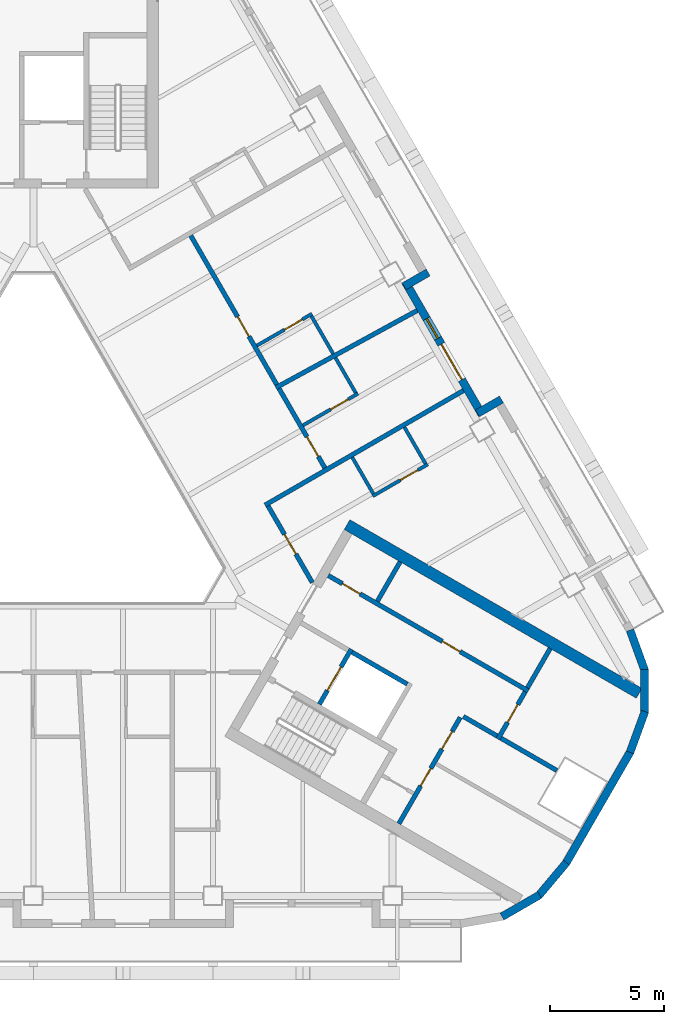
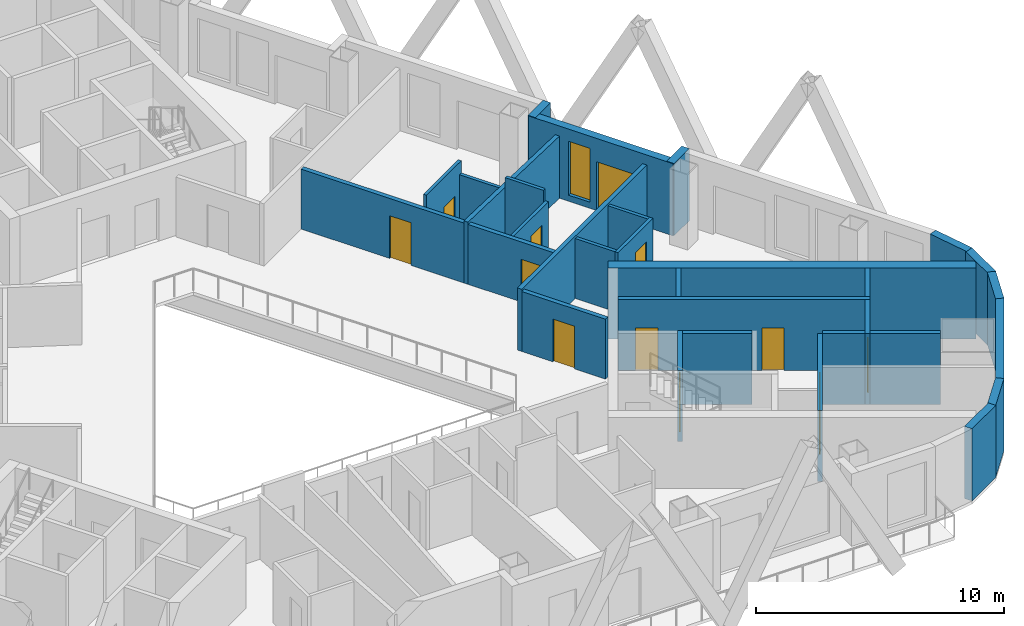
# One storey, part 8 of 17: 31 walls, 13 doors, 1 window, 14 openings.
"""IFC4 building model written with IfcOpenShell, lengths in metres."""

from ifc_helpers import new_model, si_unit, direction, frame, frame_2d, origin, place, context, subcontext, project, spatial, rectangle, extrude, material, layer, layer_set, type_object, element, fill, save


model = new_model("IFC4")

# Units and contexts
model_context = context("Model", 3, precision=1e-05, world=origin(), true_north=direction((0.0, 1.0)))
body_context = subcontext(model_context, "Body", "Model", "MODEL_VIEW")
ifc_project = project(units=[si_unit("LENGTHUNIT", "METRE"), si_unit("AREAUNIT", "SQUARE_METRE"), si_unit("VOLUMEUNIT", "CUBIC_METRE"), si_unit("PLANEANGLEUNIT", "RADIAN"), si_unit("MASSUNIT", "GRAM", prefix="KILO")], contexts=[model_context])

# Site, building, storey
site_placement = place(None, origin())
site = spatial("IfcSite", under=ifc_project, at=site_placement, CompositionType="ELEMENT")
building_placement = place(site_placement, origin())
building = spatial("IfcBuilding", under=site, at=building_placement, Name="Apuvela Tower Hotel", CompositionType="ELEMENT")
storey_placement = place(building_placement, frame((0.0, 0.0, 146.60009765625)))
storey = spatial("IfcBuildingStorey", under=building, at=storey_placement, Name="L34", CompositionType="ELEMENT", Elevation=146.60009765625)

# Wall
ifc_material_1 = material(Name="Concrete C50/60", Category="concrete")
ifc_layer_1 = layer(ifc_material_1, 0.5)
ifc_layer_set_1 = layer_set([ifc_layer_1], Name="COR-WALL-CORE-500")
wall_type_1 = type_object("IfcWallType", Name="COR-WALL-CORE-500", PredefinedType="SHEAR", material=ifc_layer_set_1)
wall_1_placement = place(storey_placement, frame((13.796630859375, -1.9033203125, 0.0), z_axis=(0.0, 0.0, 1.0), x_axis=(0.866025009528, -0.500000682871, 0.0)))
element("IfcWall", 1, at=wall_1_placement, inside=storey, type_object=wall_type_1, Name="Core wall SE", PredefinedType="SHEAR", context=body_context, shape_type="SweptSolid", body=[
    extrude(rectangle(XDim=14.8369140625, YDim=0.5, at=frame_2d((7.41845703125, 0.0))), origin(), (0.0, 0.0, 1.0), 3.5),
])

# Wall, openings, doors
ifc_material_2 = material(Name="Blockwork 200 mm plastered", Category="masonry")
ifc_layer_2 = layer(ifc_material_2, 0.199951171875)
ifc_layer_set_2 = layer_set([ifc_layer_2], Name="COR-WALL-PART-200")
wall_type_2 = type_object("IfcWallType", Name="COR-WALL-PART-200", PredefinedType="PARTITIONING", material=ifc_layer_set_2)
wall_2_placement = place(storey_placement, frame((16.076171875, -15.05517578125, 0.0), z_axis=(0.0, 0.0, 1.0), x_axis=(0.499995103361, 0.866028230842, 0.0)))
wall_2 = element("IfcWall", 2, at=wall_2_placement, inside=storey, type_object=wall_type_2, Name="Partition SE", PredefinedType="PARTITIONING", context=body_context, shape_type="SweptSolid", body=[
    extrude(rectangle(XDim=5.39990234375, YDim=0.199951171875, at=frame_2d((2.699951171875, 0.0))), origin(), (0.0, 0.0, 1.0), 3.5),
])
opening_1_placement = place(wall_2_placement, frame((1.91259765625, 0.0, 0.0)))
opening_1 = element("IfcOpeningElement", 3, at=opening_1_placement, cuts=wall_2, Name="Opening E-RS1", PredefinedType="OPENING", context=body_context, shape_type="SweptSolid", body=[
    extrude(rectangle(XDim=0.89990234375, YDim=2.10009765625, at=frame_2d((0.449951171875, 1.050048828125))), frame((0.0, 0.10986328125, 0.0), z_axis=(0.0, -1.0, 0.0), x_axis=(1.0, 0.0, 0.0)), (0.0, 0.0, 1.0), 0.219970703125),
])
opening_2_placement = place(wall_2_placement, frame((3.78759765625, 0.0, 0.0)))
opening_2 = element("IfcOpeningElement", 4, at=opening_2_placement, cuts=wall_2, Name="Opening E-RS2", PredefinedType="OPENING", context=body_context, shape_type="SweptSolid", body=[
    extrude(rectangle(XDim=0.89990234375, YDim=2.10009765625, at=frame_2d((0.449951171875, 1.050048828125))), frame((0.0, 0.10986328125, 0.0), z_axis=(0.0, -1.0, 0.0), x_axis=(1.0, 0.0, 0.0)), (0.0, 0.0, 1.0), 0.219970703125),
])
ifc_material_3 = material(Name="Steel fire door, powder coated", Category="steel")
door_type_1 = type_object("IfcDoorType", Name="COR-DR-900", OperationType="NOTDEFINED", PredefinedType="DOOR", material=ifc_material_3)
door_1_placement = place(opening_1_placement, frame((0.89990234375, 0.0, 0.0), z_axis=(0.0, 0.0, 1.0), x_axis=(-1.0, 0.0, 0.0)))
door_1 = element("IfcDoor", 5, at=door_1_placement, inside=storey, type_object=door_type_1, Name="Store door E-RS1", OperationType="SINGLE_SWING_LEFT", OverallHeight=2.10009765625, OverallWidth=0.89990234375, PredefinedType="DOOR", context=body_context, shape_type="SweptSolid", body=[
    extrude(rectangle(XDim=0.89990234375, YDim=2.10009765625, at=frame_2d((0.449951171875, 1.050048828125))), frame((0.0, 0.02490234375, 0.0), z_axis=(0.0, -1.0, 0.0), x_axis=(1.0, 0.0, 0.0)), (0.0, 0.0, 1.0), 0.050048828125),
])
fill(opening_1, door_1)
door_2_placement = place(opening_2_placement, frame((0.89990234375, 0.0, 0.0), z_axis=(0.0, 0.0, 1.0), x_axis=(-1.0, 0.0, 0.0)))
door_2 = element("IfcDoor", 6, at=door_2_placement, inside=storey, type_object=door_type_1, Name="Store door E-RS2", OperationType="SINGLE_SWING_LEFT", OverallHeight=2.10009765625, OverallWidth=0.89990234375, PredefinedType="DOOR", context=body_context, shape_type="SweptSolid", body=[
    extrude(rectangle(XDim=0.89990234375, YDim=2.10009765625, at=frame_2d((0.449951171875, 1.050048828125))), frame((0.0, 0.02490234375, 0.0), z_axis=(0.0, -1.0, 0.0), x_axis=(1.0, 0.0, 0.0)), (0.0, 0.0, 1.0), 0.050048828125),
])
fill(opening_2, door_2)

# Wall, opening, door
ifc_layer_3 = layer(ifc_material_1, 0.199951171875)
ifc_layer_set_3 = layer_set([ifc_layer_3], Name="COR-WALL-SHAFT-200")
wall_type_3 = type_object("IfcWallType", Name="COR-WALL-SHAFT-200", PredefinedType="SHEAR", material=ifc_layer_set_3)
wall_3_placement = place(storey_placement, frame((12.583251953125, -9.805419921875, 0.0), z_axis=(0.0, 0.0, 1.0), x_axis=(0.49994636267, 0.866056369097, 0.0)))
wall_3 = element("IfcWall", 7, at=wall_3_placement, inside=storey, type_object=wall_type_3, Name="Shaft wall SE", PredefinedType="SHEAR", context=body_context, shape_type="SweptSolid", body=[
    extrude(rectangle(XDim=2.800048828125, YDim=0.199951171875, at=frame_2d((1.39990234375, 0.0))), origin(), (0.0, 0.0, 1.0), 3.5),
])
opening_3_placement = place(wall_3_placement, frame((0.699951171875, 0.0, 0.0)))
opening_3 = element("IfcOpeningElement", 8, at=opening_3_placement, cuts=wall_3, Name="Opening E-LD-FS3", PredefinedType="OPENING", context=body_context, shape_type="SweptSolid", body=[
    extrude(rectangle(XDim=1.199951171875, YDim=2.10009765625, at=frame_2d((0.60009765625, 1.050048828125))), frame((0.0, 0.10986328125, 0.0), z_axis=(0.0, -1.0, 0.0), x_axis=(1.0, 0.0, 0.0)), (0.0, 0.0, 1.0), 0.219970703125),
])
ifc_material_4 = material(Name="Stainless steel lift landing door", Category="steel")
door_type_2 = type_object("IfcDoorType", Name="COR-LD-1200", OperationType="DOUBLE_DOOR_SLIDING", PredefinedType="DOOR", material=ifc_material_4)
door_3_placement = place(opening_3_placement, origin())
door_3 = element("IfcDoor", 9, at=door_3_placement, inside=storey, type_object=door_type_2, Name="Lift landing door E-LD-FS3", OperationType="DOUBLE_DOOR_SLIDING", OverallHeight=2.10009765625, OverallWidth=1.199951171875, PredefinedType="DOOR", context=body_context, shape_type="SweptSolid", body=[
    extrude(rectangle(XDim=1.199951171875, YDim=2.10009765625, at=frame_2d((0.60009765625, 1.050048828125))), frame((0.0, 0.02490234375, 0.0), z_axis=(0.0, -1.0, 0.0), x_axis=(1.0, 0.0, 0.0)), (0.0, 0.0, 1.0), 0.050048828125),
])
fill(opening_3, door_3)

# Wall
wall_4_placement = place(storey_placement, frame((14.019775390625, -7.51708984375, 0.0), z_axis=(0.0, 0.0, 1.0), x_axis=(0.866034573852, -0.49998411664, 0.0)))
element("IfcWall", 10, at=wall_4_placement, inside=storey, type_object=wall_type_3, Name="Shaft wall SE", PredefinedType="SHEAR", context=body_context, shape_type="SweptSolid", body=[
    extrude(rectangle(XDim=2.7998046875, YDim=0.199951171875, at=frame_2d((1.39990234375, 0.0))), origin(), (0.0, 0.0, 1.0), 3.5),
])

# Wall, openings, doors
wall_5_placement = place(storey_placement, frame((12.968017578125, -4.138427734375, 0.0), z_axis=(0.0, 0.0, 1.0), x_axis=(0.866028328073, -0.49999493495, 0.0)))
wall_5 = element("IfcWall", 11, at=wall_5_placement, inside=storey, type_object=wall_type_3, Name="Shaft wall SE", PredefinedType="SHEAR", context=body_context, shape_type="SweptSolid", body=[
    extrude(rectangle(XDim=10.16015625, YDim=0.199951171875, at=frame_2d((5.080078125, 0.0))), origin(), (0.0, 0.0, 1.0), 3.5),
])
opening_4_placement = place(wall_5_placement, frame((0.719970703125, 0.0, 0.0)))
opening_4 = element("IfcOpeningElement", 12, at=opening_4_placement, cuts=wall_5, Name="Opening E-RE1", PredefinedType="OPENING", context=body_context, shape_type="SweptSolid", body=[
    extrude(rectangle(XDim=0.89990234375, YDim=2.10009765625, at=frame_2d((0.449951171875, 1.050048828125))), frame((0.0, 0.10986328125, 0.0), z_axis=(0.0, -1.0, 0.0), x_axis=(1.0, 0.0, 0.0)), (0.0, 0.0, 1.0), 0.219970703125),
])
opening_5_placement = place(wall_5_placement, frame((5.800048828125, 0.0, 0.0)))
opening_5 = element("IfcOpeningElement", 13, at=opening_5_placement, cuts=wall_5, Name="Opening E-RE2", PredefinedType="OPENING", context=body_context, shape_type="SweptSolid", body=[
    extrude(rectangle(XDim=0.89990234375, YDim=2.10009765625, at=frame_2d((0.449951171875, 1.050048828125))), frame((0.0, 0.10986328125, 0.0), z_axis=(0.0, -1.0, 0.0), x_axis=(1.0, 0.0, 0.0)), (0.0, 0.0, 1.0), 0.219970703125),
])
door_4_placement = place(opening_4_placement, origin())
door_4 = element("IfcDoor", 14, at=door_4_placement, inside=storey, type_object=door_type_1, Name="Store door E-RE1", OperationType="SINGLE_SWING_LEFT", OverallHeight=2.10009765625, OverallWidth=0.89990234375, PredefinedType="DOOR", context=body_context, shape_type="SweptSolid", body=[
    extrude(rectangle(XDim=0.89990234375, YDim=2.10009765625, at=frame_2d((0.449951171875, 1.050048828125))), frame((0.0, 0.02490234375, 0.0), z_axis=(0.0, -1.0, 0.0), x_axis=(1.0, 0.0, 0.0)), (0.0, 0.0, 1.0), 0.050048828125),
])
fill(opening_4, door_4)
door_5_placement = place(opening_5_placement, origin())
door_5 = element("IfcDoor", 15, at=door_5_placement, inside=storey, type_object=door_type_1, Name="Store door E-RE2", OperationType="SINGLE_SWING_LEFT", OverallHeight=2.10009765625, OverallWidth=0.89990234375, PredefinedType="DOOR", context=body_context, shape_type="SweptSolid", body=[
    extrude(rectangle(XDim=0.89990234375, YDim=2.10009765625, at=frame_2d((0.449951171875, 1.050048828125))), frame((0.0, 0.02490234375, 0.0), z_axis=(0.0, -1.0, 0.0), x_axis=(1.0, 0.0, 0.0)), (0.0, 0.0, 1.0), 0.050048828125),
])
fill(opening_5, door_5)

# Wall, opening, door
wall_6_placement = place(storey_placement, frame((20.430419921875, -11.33349609375, 0.0), z_axis=(0.0, 0.0, 1.0), x_axis=(0.500001309137, 0.866024647952, 0.0)))
wall_6 = element("IfcWall", 16, at=wall_6_placement, inside=storey, type_object=wall_type_3, Name="Shaft wall SE", PredefinedType="SHEAR", context=body_context, shape_type="SweptSolid", body=[
    extrude(rectangle(XDim=2.39990234375, YDim=0.199951171875, at=frame_2d((1.199951171875, 0.0))), origin(), (0.0, 0.0, 1.0), 3.5),
])
opening_6_placement = place(wall_6_placement, frame((0.85009765625, 0.0, 0.0)))
opening_6 = element("IfcOpeningElement", 17, at=opening_6_placement, cuts=wall_6, Name="Opening E-REP", PredefinedType="OPENING", context=body_context, shape_type="SweptSolid", body=[
    extrude(rectangle(XDim=0.89990234375, YDim=2.10009765625, at=frame_2d((0.449951171875, 1.050048828125))), frame((0.0, 0.10986328125, 0.0), z_axis=(0.0, -1.0, 0.0), x_axis=(1.0, 0.0, 0.0)), (0.0, 0.0, 1.0), 0.219970703125),
])
door_6_placement = place(opening_6_placement, frame((0.89990234375, 0.0, 0.0), z_axis=(0.0, 0.0, 1.0), x_axis=(-1.0, 0.0, 0.0)))
door_6 = element("IfcDoor", 18, at=door_6_placement, inside=storey, type_object=door_type_1, Name="Store door E-REP", OperationType="SINGLE_SWING_RIGHT", OverallHeight=2.10009765625, OverallWidth=0.89990234375, PredefinedType="DOOR", context=body_context, shape_type="SweptSolid", body=[
    extrude(rectangle(XDim=0.89990234375, YDim=2.10009765625, at=frame_2d((0.449951171875, 1.050048828125))), frame((0.0, 0.02490234375, 0.0), z_axis=(0.0, -1.0, 0.0), x_axis=(1.0, 0.0, 0.0)), (0.0, 0.0, 1.0), 0.050048828125),
])
fill(opening_6, door_6)

# Walls
wall_7_placement = place(storey_placement, frame((18.912841796875, -10.342041015625, 0.0), z_axis=(0.0, 0.0, 1.0), x_axis=(0.866038183914, -0.499977863513, 0.0)))
element("IfcWall", 19, at=wall_7_placement, inside=storey, type_object=wall_type_3, Name="Shaft wall SE", PredefinedType="SHEAR", context=body_context, shape_type="SweptSolid", body=[
    extrude(rectangle(XDim=1.7099609375, YDim=0.199951171875, at=frame_2d((0.85498046875, 0.0))), origin(), (0.0, 0.0, 1.0), 3.5),
])
for number, where, z_axis, x_axis, name in (
    (20, (15.131103515625, -5.27197265625, 0.0), (0.0, 0.0, 1.0), (0.499972520799, 0.866041268327, 0.0), "Shaft wall SE"),
    (21, (21.73046875, -9.081787109375, 0.0), (0.0, 0.0, 1.0), (0.50002537861, 0.866010750942, 0.0), "Shaft wall SE"),
):
    element("IfcWall", number, at=place(storey_placement, frame(where, z_axis=z_axis, x_axis=x_axis)), inside=storey, type_object=wall_type_3, Name=name, PredefinedType="SHEAR", context=body_context, shape_type="SweptSolid", body=[
        extrude(rectangle(XDim=2.0, YDim=0.199951171875, at=frame_2d((1.0, 0.0))), origin(), (0.0, 0.0, 1.0), 3.5),
    ])
wall_8_placement = place(storey_placement, frame((20.56689453125, -11.297119140625, 0.0), z_axis=(0.0, 0.0, 1.0), x_axis=(0.866055327414, -0.49994816717, 0.0)))
element("IfcWall", 22, at=wall_8_placement, inside=storey, type_object=wall_type_3, Name="Shaft wall SE", PredefinedType="SHEAR", context=body_context, shape_type="SweptSolid", body=[
    extrude(rectangle(XDim=2.840087890625, YDim=0.199951171875, at=frame_2d((1.419921875, 0.0))), origin(), (0.0, 0.0, 1.0), 3.5),
])
ifc_material_5 = material(Name="Concrete C40/50, dark pigmented precast panel", Category="concrete")
ifc_layer_4 = layer(ifc_material_5, 0.35009765625)
ifc_layer_set_4 = layer_set([ifc_layer_4], Name="ENV-WALL-350")
wall_type_4 = type_object("IfcWallType", Name="ENV-WALL-350", PredefinedType="SOLIDWALL", material=ifc_layer_set_4)
for number, where, z_axis, x_axis, name in (
    (23, (20.609619140625, -19.146728515625, 0.0), (0.0, 0.0, 1.0), (0.866000389056, 0.500043324278, 0.0), "External wall L34-27"),
    (24, (22.21728515625, -18.230712890625, 0.0), (0.0, 0.0, 1.0), (0.642733291068, 0.76609001857, 0.0), "External wall L34-28"),
):
    element("IfcWall", number, at=place(storey_placement, frame(where, z_axis=z_axis, x_axis=x_axis)), inside=storey, type_object=wall_type_4, Name=name, PredefinedType="SOLIDWALL", context=body_context, shape_type="SweptSolid", body=[
        extrude(rectangle(XDim=1.909912109375, YDim=0.35009765625, at=frame_2d((0.955078125, 0.0))), origin(), (0.0, 0.0, 1.0), 3.5498046875),
    ])
wall_9_placement = place(storey_placement, frame((23.427490234375, -16.79248046875, 0.0), z_axis=(0.0, 0.0, 1.0), x_axis=(0.500018773155, 0.866014564827, 0.0)))
element("IfcWall", 25, at=wall_9_placement, inside=storey, type_object=wall_type_4, Name="External wall L34-29", PredefinedType="SOLIDWALL", context=body_context, shape_type="SweptSolid", body=[
    extrude(rectangle(XDim=5.657958984375, YDim=0.35009765625, at=frame_2d((2.8291015625, 0.0))), origin(), (0.0, 0.0, 1.0), 3.5498046875),
])
for number, where, z_axis, x_axis, name in (
    (26, (26.24365234375, -11.920166015625, 0.0), (0.0, 0.0, 1.0), (0.342030395486, 0.939688889242, 0.0), "External wall L34-30"),
    (27, (26.88623046875, -10.18505859375, 0.0), (0.0, 0.0, 1.0), (0.0, 1.0, 0.0), "External wall L34-31"),
    (28, (26.89697265625, -8.334716796875, 0.0), (0.0, 0.0, 1.0), (-0.342030395486, 0.939688889242, 0.0), "External wall L34-32"),
):
    element("IfcWall", number, at=place(storey_placement, frame(where, z_axis=z_axis, x_axis=x_axis)), inside=storey, type_object=wall_type_4, Name=name, PredefinedType="SOLIDWALL", context=body_context, shape_type="SweptSolid", body=[
        extrude(rectangle(XDim=1.91015625, YDim=0.35009765625, at=frame_2d((0.955078125, 0.0))), origin(), (0.0, 0.0, 1.0), 3.5498046875),
    ])
wall_10_placement = place(storey_placement, frame((20.587646484375, 3.601318359375, 0.0), z_axis=(0.0, 0.0, 1.0), x_axis=(-0.866005645448, -0.500034220881, 0.0)))
element("IfcWall", 29, at=wall_10_placement, inside=storey, type_object=wall_type_4, Name="External wall L34-34", PredefinedType="SOLIDWALL", context=body_context, shape_type="SweptSolid", body=[
    extrude(rectangle(XDim=1.22021484375, YDim=0.35009765625, at=frame_2d((0.610107421875, 0.0))), origin(), (0.0, 0.0, 1.0), 3.5498046875),
])

# Wall, openings, door, window
wall_11_placement = place(storey_placement, frame((19.72900390625, 2.93798828125, 0.0), z_axis=(0.0, 0.0, 1.0), x_axis=(-0.499976430342, 0.866039011305, 0.0)))
wall_11 = element("IfcWall", 30, at=wall_11_placement, inside=storey, type_object=wall_type_4, Name="External wall L34-35", PredefinedType="SOLIDWALL", context=body_context, shape_type="SweptSolid", body=[
    extrude(rectangle(XDim=6.739990234375, YDim=0.35009765625, at=frame_2d((3.3701171875, 0.0))), origin(), (0.0, 0.0, 1.0), 3.5498046875),
])
opening_7_placement = place(wall_11_placement, frame((1.77001953125, 0.0, 0.0)))
opening_7 = element("IfcOpeningElement", 31, at=opening_7_placement, cuts=wall_11, Name="Opening BD18", PredefinedType="OPENING", context=body_context, shape_type="SweptSolid", body=[
    extrude(rectangle(XDim=1.800048828125, YDim=2.39990234375, at=frame_2d((0.89990234375, 1.199951171875))), frame((0.0, 0.18505859375, 0.0), z_axis=(0.0, -1.0, 0.0), x_axis=(1.0, 0.0, 0.0)), (0.0, 0.0, 1.0), 0.3701171875),
])
opening_8_placement = place(wall_11_placement, frame((3.869873046875, 0.0, 0.300048828125)))
opening_8 = element("IfcOpeningElement", 32, at=opening_8_placement, cuts=wall_11, Name="Opening WN10", PredefinedType="OPENING", context=body_context, shape_type="SweptSolid", body=[
    extrude(rectangle(XDim=1.0, YDim=2.64990234375, at=frame_2d((0.5, 1.324951171875))), frame((0.0, 0.18505859375, 0.0), z_axis=(0.0, -1.0, 0.0), x_axis=(1.0, 0.0, 0.0)), (0.0, 0.0, 1.0), 0.3701171875),
])
ifc_material_6 = material(Name="Aluminium 6063-T6, dark bronze anodised frame with dark tinted laminated glass", Category="aluminium")
door_type_3 = type_object("IfcDoorType", Name="ENV-DOOR-BALCONY-1800x2400", OperationType="SLIDING_TO_LEFT", PredefinedType="DOOR", material=ifc_material_6)
door_7_placement = place(opening_7_placement, frame((1.800048828125, 0.0, 0.0), z_axis=(0.0, 0.0, 1.0), x_axis=(-1.0, 0.0, 0.0)))
door_7 = element("IfcDoor", 33, at=door_7_placement, inside=storey, type_object=door_type_3, Name="Balcony door BD18", OperationType="SLIDING_TO_LEFT", OverallHeight=2.39990234375, OverallWidth=1.800048828125, PredefinedType="DOOR", context=body_context, shape_type="SweptSolid", body=[
    extrude(rectangle(XDim=1.800048828125, YDim=2.39990234375, at=frame_2d((0.89990234375, 1.199951171875))), frame((0.0, 0.02490234375, 0.0), z_axis=(0.0, -1.0, 0.0), x_axis=(1.0, 0.0, 0.0)), (0.0, 0.0, 1.0), 0.050048828125),
])
fill(opening_7, door_7)
ifc_material_7 = material(Name="Glass, dark tinted laminated insulated glazing unit", Category="glass")
window_type = type_object("IfcWindowType", Name="ENV-WIN-1000x2650", PartitioningType="SINGLE_PANEL", PredefinedType="WINDOW", material=ifc_material_7)
window_placement = place(opening_8_placement, origin())
window = element("IfcWindow", 34, at=window_placement, inside=storey, type_object=window_type, Name="Window WN10", OverallHeight=2.64990234375, OverallWidth=1.0, PartitioningType="SINGLE_PANEL", PredefinedType="WINDOW", context=body_context, shape_type="SweptSolid", body=[
    extrude(rectangle(XDim=1.0, YDim=2.64990234375, at=frame_2d((0.5, 1.324951171875))), frame((0.0, 0.030029296875, 0.0), z_axis=(0.0, -1.0, 0.0), x_axis=(1.0, 0.0, 0.0)), (0.0, 0.0, 1.0), 0.06005859375),
])
fill(opening_8, window)

# Walls
wall_12_placement = place(storey_placement, frame((16.305908203125, 8.5771484375, 0.0), z_axis=(0.0, 0.0, 1.0), x_axis=(0.866092288191, 0.499884134912, 0.0)))
element("IfcWall", 35, at=wall_12_placement, inside=storey, type_object=wall_type_4, Name="External wall L34-36", PredefinedType="SOLIDWALL", context=body_context, shape_type="SweptSolid", body=[
    extrude(rectangle(XDim=1.219970703125, YDim=0.35009765625, at=frame_2d((0.60986328125, 0.0))), origin(), (0.0, 0.0, 1.0), 3.5498046875),
])
ifc_material_8 = material(Name="Gypsum board partition on twin steel stud", Category="steel")
ifc_layer_5 = layer(ifc_material_8, 0.199951171875)
ifc_layer_set_5 = layer_set([ifc_layer_5], Name="GST-PW1")
wall_type_5 = type_object("IfcWallType", Name="GST-PW1", PredefinedType="PARTITIONING", material=ifc_layer_set_5)
wall_13_placement = place(storey_placement, frame((18.91748046875, 3.993896484375, 0.0), z_axis=(0.0, 0.0, 1.0), x_axis=(-0.866022637375, -0.500004791531, 0.0)))
element("IfcWall", 36, at=wall_13_placement, inside=storey, type_object=wall_type_5, Name="L34 partition 05", PredefinedType="PARTITIONING", context=body_context, shape_type="SweptSolid", body=[
    extrude(rectangle(XDim=10.080078125, YDim=0.199951171875, at=frame_2d((5.0400390625, 0.0))), origin(), (0.0, 0.0, 1.0), 3.059814453125),
])
wall_14_placement = place(storey_placement, frame((16.884521484375, 7.515380859375, 0.0), z_axis=(0.0, 0.0, 1.0), x_axis=(-0.87760821498, -0.479378577952, 0.0)))
element("IfcWall", 37, at=wall_14_placement, inside=storey, type_object=wall_type_5, Name="L34 partition 06", PredefinedType="PARTITIONING", context=body_context, shape_type="SweptSolid", body=[
    extrude(rectangle(XDim=7.08203125, YDim=0.199951171875, at=frame_2d((3.541015625, 0.0))), origin(), (0.0, 0.0, 1.0), 3.059814453125),
])

# Wall, opening, door
ifc_material_9 = material(Name="Gypsum board corridor wall on twin steel stud, acoustic", Category="steel")
ifc_layer_6 = layer(ifc_material_9, 0.199951171875)
ifc_layer_set_6 = layer_set([ifc_layer_6], Name="GST-PW2")
wall_type_6 = type_object("IfcWallType", Name="GST-PW2", PredefinedType="PARTITIONING", material=ifc_layer_set_6)
wall_15_placement = place(storey_placement, frame((10.32470703125, -1.082763671875, 0.0), z_axis=(0.0, 0.0, 1.0), x_axis=(0.500008716408, -0.866020371305, 0.0)))
wall_15 = element("IfcWall", 38, at=wall_15_placement, inside=storey, type_object=wall_type_6, Name="L34 partition 28", PredefinedType="PARTITIONING", context=body_context, shape_type="SweptSolid", body=[
    extrude(rectangle(XDim=3.88818359375, YDim=0.199951171875, at=frame_2d((1.944091796875, 0.0))), origin(), (0.0, 0.0, 1.0), 2.949951171875),
])
opening_9_placement = place(wall_15_placement, frame((1.444091796875, 0.0, 0.0)))
opening_9 = element("IfcOpeningElement", 39, at=opening_9_placement, cuts=wall_15, Name="Opening GD12-12", PredefinedType="OPENING", context=body_context, shape_type="SweptSolid", body=[
    extrude(rectangle(XDim=1.0, YDim=2.10009765625, at=frame_2d((0.5, 1.050048828125))), frame((0.0, 0.10986328125, 0.0), z_axis=(0.0, -1.0, 0.0), x_axis=(1.0, 0.0, 0.0)), (0.0, 0.0, 1.0), 0.219970703125),
])
ifc_material_10 = material(Name="Timber door leaf in steel frame", Category="steel")
door_type_4 = type_object("IfcDoorType", Name="GST-D1", OperationType="NOTDEFINED", PredefinedType="DOOR", material=ifc_material_10)
door_8_placement = place(opening_9_placement, origin())
door_8 = element("IfcDoor", 40, at=door_8_placement, inside=storey, type_object=door_type_4, Name="Door L34-12", OperationType="SINGLE_SWING_LEFT", OverallHeight=2.10009765625, OverallWidth=1.0, PredefinedType="DOOR", context=body_context, shape_type="SweptSolid", body=[
    extrude(rectangle(XDim=1.0, YDim=2.10009765625, at=frame_2d((0.5, 1.050048828125))), frame((0.0, 0.02490234375, 0.0), z_axis=(0.0, -1.0, 0.0), x_axis=(1.0, 0.0, 0.0)), (0.0, 0.0, 1.0), 0.050048828125),
])
fill(opening_9, door_8)

wall_16_placement = place(storey_placement, frame((10.806884765625, 4.081787109375, 0.0), z_axis=(0.0, 0.0, 1.0), x_axis=(0.500040475235, -0.866002034136, 0.0)))
wall_16 = element("IfcWall", 41, at=wall_16_placement, inside=storey, type_object=wall_type_6, Name="L34 partition 32", PredefinedType="PARTITIONING", context=body_context, shape_type="SweptSolid", body=[
    extrude(rectangle(XDim=4.031494140625, YDim=0.199951171875, at=frame_2d((2.015625, 0.0))), origin(), (0.0, 0.0, 1.0), 2.949951171875),
])
opening_10_placement = place(wall_16_placement, frame((2.452392578125, 0.0, 0.0)))
opening_10 = element("IfcOpeningElement", 42, at=opening_10_placement, cuts=wall_16, Name="Opening GD12-14", PredefinedType="OPENING", context=body_context, shape_type="SweptSolid", body=[
    extrude(rectangle(XDim=1.0, YDim=2.10009765625, at=frame_2d((0.5, 1.050048828125))), frame((0.0, 0.10986328125, 0.0), z_axis=(0.0, -1.0, 0.0), x_axis=(1.0, 0.0, 0.0)), (0.0, 0.0, 1.0), 0.219970703125),
])
door_9_placement = place(opening_10_placement, origin())
door_9 = element("IfcDoor", 43, at=door_9_placement, inside=storey, type_object=door_type_4, Name="Door L34-14", OperationType="SINGLE_SWING_RIGHT", OverallHeight=2.10009765625, OverallWidth=1.0, PredefinedType="DOOR", context=body_context, shape_type="SweptSolid", body=[
    extrude(rectangle(XDim=1.0, YDim=2.10009765625, at=frame_2d((0.5, 1.050048828125))), frame((0.0, 0.02490234375, 0.0), z_axis=(0.0, -1.0, 0.0), x_axis=(1.0, 0.0, 0.0)), (0.0, 0.0, 1.0), 0.050048828125),
])
fill(opening_10, door_9)

wall_17_placement = place(storey_placement, frame((6.922607421875, 10.8095703125, 0.0), z_axis=(0.0, 0.0, 1.0), x_axis=(0.500007257026, -0.866021213898, 0.0)))
wall_17 = element("IfcWall", 44, at=wall_17_placement, inside=storey, type_object=wall_type_6, Name="L34 partition 35", PredefinedType="PARTITIONING", context=body_context, shape_type="SweptSolid", body=[
    extrude(rectangle(XDim=7.56884765625, YDim=0.199951171875, at=frame_2d((3.784423828125, 0.0))), origin(), (0.0, 0.0, 1.0), 2.949951171875),
])
opening_11_placement = place(wall_17_placement, frame((4.120849609375, 0.0, 0.0)))
opening_11 = element("IfcOpeningElement", 45, at=opening_11_placement, cuts=wall_17, Name="Opening GD12-16", PredefinedType="OPENING", context=body_context, shape_type="SweptSolid", body=[
    extrude(rectangle(XDim=1.0, YDim=2.10009765625, at=frame_2d((0.5, 1.050048828125))), frame((0.0, 0.10986328125, 0.0), z_axis=(0.0, -1.0, 0.0), x_axis=(1.0, 0.0, 0.0)), (0.0, 0.0, 1.0), 0.219970703125),
])
door_10_placement = place(opening_11_placement, origin())
door_10 = element("IfcDoor", 46, at=door_10_placement, inside=storey, type_object=door_type_4, Name="Door L34-16", OperationType="SINGLE_SWING_LEFT", OverallHeight=2.10009765625, OverallWidth=1.0, PredefinedType="DOOR", context=body_context, shape_type="SweptSolid", body=[
    extrude(rectangle(XDim=1.0, YDim=2.10009765625, at=frame_2d((0.5, 1.050048828125))), frame((0.0, 0.02490234375, 0.0), z_axis=(0.0, -1.0, 0.0), x_axis=(1.0, 0.0, 0.0)), (0.0, 0.0, 1.0), 0.050048828125),
])
fill(opening_11, door_10)

ifc_material_11 = material(Name="Moisture-resistant gypsum board wet wall on steel stud", Category="steel")
ifc_layer_7 = layer(ifc_material_11, 0.14990234375)
ifc_layer_set_7 = layer_set([ifc_layer_7], Name="GST-PW3")
wall_type_7 = type_object("IfcWallType", Name="GST-PW3", PredefinedType="PARTITIONING", material=ifc_layer_set_7)
wall_18_placement = place(storey_placement, frame((14.92431640625, -0.64990234375, 0.0), z_axis=(0.0, 0.0, 1.0), x_axis=(0.866056369097, 0.49994636267, 0.0)))
wall_18 = element("IfcWall", 47, at=wall_18_placement, inside=storey, type_object=wall_type_7, Name="L34 partition 29", PredefinedType="PARTITIONING", context=body_context, shape_type="SweptSolid", body=[
    extrude(rectangle(XDim=2.800048828125, YDim=0.14990234375, at=frame_2d((1.39990234375, 0.0))), origin(), (0.0, 0.0, 1.0), 2.949951171875),
])
opening_12_placement = place(wall_18_placement, frame((1.39990234375, 0.0, 0.0)))
opening_12 = element("IfcOpeningElement", 48, at=opening_12_placement, cuts=wall_18, Name="Opening GD12-11", PredefinedType="OPENING", context=body_context, shape_type="SweptSolid", body=[
    extrude(rectangle(XDim=0.89990234375, YDim=2.10009765625, at=frame_2d((0.449951171875, 1.050048828125))), frame((0.0, 0.0849609375, 0.0), z_axis=(0.0, -1.0, 0.0), x_axis=(1.0, 0.0, 0.0)), (0.0, 0.0, 1.0), 0.169921875),
])
door_type_5 = type_object("IfcDoorType", Name="GST-D2", OperationType="NOTDEFINED", PredefinedType="DOOR", material=ifc_material_10)
door_11_placement = place(opening_12_placement, origin())
door_11 = element("IfcDoor", 49, at=door_11_placement, inside=storey, type_object=door_type_5, Name="Door L34-11", OperationType="SINGLE_SWING_RIGHT", OverallHeight=2.10009765625, OverallWidth=0.89990234375, PredefinedType="DOOR", context=body_context, shape_type="SweptSolid", body=[
    extrude(rectangle(XDim=0.89990234375, YDim=2.10009765625, at=frame_2d((0.449951171875, 1.050048828125))), frame((0.0, 0.02490234375, 0.0), z_axis=(0.0, -1.0, 0.0), x_axis=(1.0, 0.0, 0.0)), (0.0, 0.0, 1.0), 0.050048828125),
])
fill(opening_12, door_11)

# Walls
for number, where, z_axis, x_axis, name in (
    (50, (17.246826171875, 0.777587890625, 0.0), (0.0, 0.0, 1.0), (-0.500042316284, 0.866000971088, 0.0), "L34 partition 30"),
    (51, (14.951904296875, -0.54736328125, 0.0), (0.0, 0.0, 1.0), (-0.500042316284, 0.866000971088, 0.0), "L34 partition 31"),
):
    element("IfcWall", number, at=place(storey_placement, frame(where, z_axis=z_axis, x_axis=x_axis)), inside=storey, type_object=wall_type_7, Name=name, PredefinedType="PARTITIONING", context=body_context, shape_type="SweptSolid", body=[
        extrude(rectangle(XDim=1.849853515625, YDim=0.14990234375, at=frame_2d((0.9248046875, 0.0))), origin(), (0.0, 0.0, 1.0), 2.949951171875),
    ])

# Wall, opening, door
wall_19_placement = place(storey_placement, frame((11.857421875, 2.462646484375, 0.0), z_axis=(0.0, 0.0, 1.0), x_axis=(0.866034573852, 0.49998411664, 0.0)))
wall_19 = element("IfcWall", 52, at=wall_19_placement, inside=storey, type_object=wall_type_7, Name="L34 partition 33", PredefinedType="PARTITIONING", context=body_context, shape_type="SweptSolid", body=[
    extrude(rectangle(XDim=2.7998046875, YDim=0.14990234375, at=frame_2d((1.39990234375, 0.0))), origin(), (0.0, 0.0, 1.0), 2.949951171875),
])
opening_13_placement = place(wall_19_placement, frame((1.39990234375, 0.0, 0.0)))
opening_13 = element("IfcOpeningElement", 53, at=opening_13_placement, cuts=wall_19, Name="Opening GD12-13", PredefinedType="OPENING", context=body_context, shape_type="SweptSolid", body=[
    extrude(rectangle(XDim=0.89990234375, YDim=2.10009765625, at=frame_2d((0.449951171875, 1.050048828125))), frame((0.0, 0.0849609375, 0.0), z_axis=(0.0, -1.0, 0.0), x_axis=(1.0, 0.0, 0.0)), (0.0, 0.0, 1.0), 0.169921875),
])
door_12_placement = place(opening_13_placement, origin())
door_12 = element("IfcDoor", 54, at=door_12_placement, inside=storey, type_object=door_type_5, Name="Door L34-13", OperationType="SINGLE_SWING_RIGHT", OverallHeight=2.10009765625, OverallWidth=0.89990234375, PredefinedType="DOOR", context=body_context, shape_type="SweptSolid", body=[
    extrude(rectangle(XDim=0.89990234375, YDim=2.10009765625, at=frame_2d((0.449951171875, 1.050048828125))), frame((0.0, 0.02490234375, 0.0), z_axis=(0.0, -1.0, 0.0), x_axis=(1.0, 0.0, 0.0)), (0.0, 0.0, 1.0), 0.050048828125),
])
fill(opening_13, door_12)

# Wall
wall_20_placement = place(storey_placement, frame((14.1796875, 3.889892578125, 0.0), z_axis=(0.0, 0.0, 1.0), x_axis=(-0.500006500783, 0.866021650523, 0.0)))
element("IfcWall", 55, at=wall_20_placement, inside=storey, type_object=wall_type_7, Name="L34 partition 34", PredefinedType="PARTITIONING", context=body_context, shape_type="SweptSolid", body=[
    extrude(rectangle(XDim=1.78564453125, YDim=0.14990234375, at=frame_2d((0.892822265625, 0.0))), origin(), (0.0, 0.0, 1.0), 3.5498046875),
])

# Wall, opening, door
wall_21_placement = place(storey_placement, frame((12.257080078125, 7.3701171875, 0.0), z_axis=(0.0, 0.0, 1.0), x_axis=(-0.865996816683, -0.500049511043, 0.0)))
wall_21 = element("IfcWall", 56, at=wall_21_placement, inside=storey, type_object=wall_type_7, Name="L34 partition 36", PredefinedType="PARTITIONING", context=body_context, shape_type="SweptSolid", body=[
    extrude(rectangle(XDim=2.800048828125, YDim=0.14990234375, at=frame_2d((1.39990234375, 0.0))), origin(), (0.0, 0.0, 1.0), 3.5498046875),
])
opening_14_placement = place(wall_21_placement, frame((0.5, 0.0, 0.0)))
opening_14 = element("IfcOpeningElement", 57, at=opening_14_placement, cuts=wall_21, Name="Opening GD12-15", PredefinedType="OPENING", context=body_context, shape_type="SweptSolid", body=[
    extrude(rectangle(XDim=0.89990234375, YDim=2.10009765625, at=frame_2d((0.449951171875, 1.050048828125))), frame((0.0, 0.0849609375, 0.0), z_axis=(0.0, -1.0, 0.0), x_axis=(1.0, 0.0, 0.0)), (0.0, 0.0, 1.0), 0.169921875),
])
door_13_placement = place(opening_14_placement, origin())
door_13 = element("IfcDoor", 58, at=door_13_placement, inside=storey, type_object=door_type_5, Name="Door L34-15", OperationType="SINGLE_SWING_LEFT", OverallHeight=2.10009765625, OverallWidth=0.89990234375, PredefinedType="DOOR", context=body_context, shape_type="SweptSolid", body=[
    extrude(rectangle(XDim=0.89990234375, YDim=2.10009765625, at=frame_2d((0.449951171875, 1.050048828125))), frame((0.0, 0.02490234375, 0.0), z_axis=(0.0, -1.0, 0.0), x_axis=(1.0, 0.0, 0.0)), (0.0, 0.0, 1.0), 0.050048828125),
])
fill(opening_14, door_13)

# Wall
wall_22_placement = place(storey_placement, frame((13.18701171875, 5.609619140625, 0.0), z_axis=(0.0, 0.0, 1.0), x_axis=(-0.500020498207, 0.866013568815, 0.0)))
element("IfcWall", 59, at=wall_22_placement, inside=storey, type_object=wall_type_7, Name="L34 partition 37", PredefinedType="PARTITIONING", context=body_context, shape_type="SweptSolid", body=[
    extrude(rectangle(XDim=1.91455078125, YDim=0.14990234375, at=frame_2d((0.957275390625, 0.0))), origin(), (0.0, 0.0, 1.0), 2.949951171875),
])

save(model, "model.ifc")
